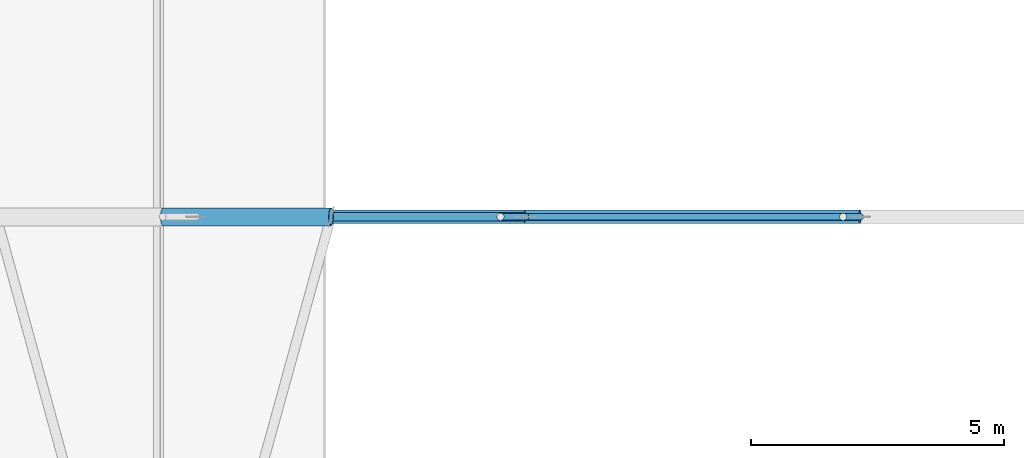
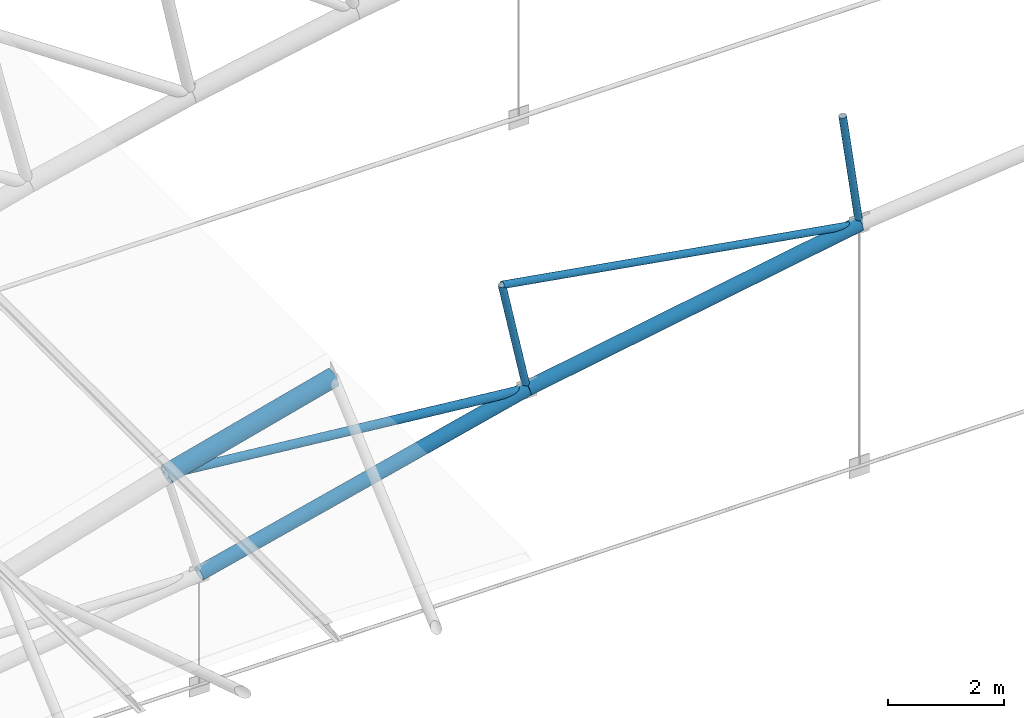
# One storey, part 19 of 321: 7 members.
"""IFC4 building model written with IfcOpenShell, lengths in metres."""

from ifc_helpers import new_model, si_unit, direction, frame, origin, origin_2d, place, context, subcontext, project, spatial, hollow_circle, extrude, material, material_profile, profile_set, type_object, element, save


model = new_model("IFC4")

# Units and contexts
model_context = context("Model", 3, precision=1e-05, world=origin(), true_north=direction((0.0, 1.0)))
body_context = subcontext(model_context, "Body", "Model", "MODEL_VIEW")
ifc_project = project(units=[si_unit("LENGTHUNIT", "METRE"), si_unit("AREAUNIT", "SQUARE_METRE"), si_unit("VOLUMEUNIT", "CUBIC_METRE"), si_unit("PLANEANGLEUNIT", "RADIAN"), si_unit("MASSUNIT", "GRAM", prefix="KILO")], contexts=[model_context])

# Site, building, storey
site_placement = place(None, origin())
site = spatial("IfcSite", under=ifc_project, at=site_placement, CompositionType="ELEMENT")
building_placement = place(site_placement, origin())
building = spatial("IfcBuilding", under=site, at=building_placement, Name="Ravi Spectrum Wholesale Market", CompositionType="ELEMENT")
storey_placement = place(building_placement, frame((0.0, 0.0, 10.800048828125)))
storey = spatial("IfcBuildingStorey", under=building, at=storey_placement, Name="L02", CompositionType="ELEMENT", Elevation=10.800048828125)

# Members
ifc_material_1 = material(Name="Steel S355", Category="steel")
ifc_material_profile_1 = material_profile(ifc_material_1, hollow_circle(Radius=0.06982421875, WallThickness=0.0048828125, at=origin_2d()))
ifc_profile_set_1 = profile_set([ifc_material_profile_1], Name="Steel S355")
member_type_1 = type_object("IfcMemberType", Name="CHS 139.7x5 brace", PredefinedType="BRACE", material=ifc_profile_set_1)
member_1_placement = place(storey_placement, frame((49.55859375, 42.0, 6.30224609375), z_axis=(0.985982518253, 0.0, -0.166848655074), x_axis=(0.0, 1.0, 0.0)))
element("IfcMember", 1, at=member_1_placement, inside=storey, type_object=member_type_1, Name="H1-MB-L02-149", PredefinedType="BRACE", context=body_context, shape_type="SweptSolid", body=[
    extrude(hollow_circle(Radius=0.06982421875, WallThickness=0.0048828125, at=origin_2d()), origin(), (0.0, 0.0, 1.0), 7.1904296875),
])
ifc_material_2 = material(Name="Steel S355", Category="steel")
ifc_material_profile_2 = material_profile(ifc_material_2, hollow_circle(Radius=0.06982421875, WallThickness=0.0048828125, at=origin_2d()))
ifc_profile_set_2 = profile_set([ifc_material_profile_2], Name="Steel S355")
member_type_2 = type_object("IfcMemberType", Name="CHS 139.7x5 post", PredefinedType="POST", material=ifc_profile_set_2)
member_2_placement = place(storey_placement, frame((49.55859375, 42.0, 6.30224609375), z_axis=(0.20547728987, 0.0, -0.978661884078), x_axis=(0.0, 1.0, 0.0)))
element("IfcMember", 2, at=member_2_placement, inside=storey, type_object=member_type_2, Name="H1-MB-L02-138", PredefinedType="POST", context=body_context, shape_type="SweptSolid", body=[
    extrude(hollow_circle(Radius=0.06982421875, WallThickness=0.0048828125, at=origin_2d()), origin(), (0.0, 0.0, 1.0), 2.400146484375),
])
member_3_placement = place(storey_placement, frame((56.318115234375, 42.0, 7.479736328125), z_axis=(0.137532332315, 0.0, -0.990497277921), x_axis=(0.0, 1.0, 0.0)))
element("IfcMember", 3, at=member_3_placement, inside=storey, type_object=member_type_2, Name="H1-MB-L02-139", PredefinedType="POST", context=body_context, shape_type="SweptSolid", body=[
    extrude(hollow_circle(Radius=0.06982421875, WallThickness=0.0048828125, at=origin_2d()), origin(), (0.0, 0.0, 1.0), 2.39990234375),
])
ifc_material_3 = material(Name="Steel S355", Category="steel")
ifc_material_profile_3 = material_profile(ifc_material_3, hollow_circle(Radius=0.084228515625, WallThickness=0.00634765625, at=origin_2d()))
ifc_profile_set_3 = profile_set([ifc_material_profile_3], Name="Steel S355")
member_type_3 = type_object("IfcMemberType", Name="CHS 168.3x6.3 brace", PredefinedType="BRACE", material=ifc_profile_set_3)
member_4_placement = place(storey_placement, frame((42.896240234375, 42.0, 4.661376953125), z_axis=(0.995140525262, 0.0, -0.098464892124), x_axis=(0.0, 1.0, 0.0)))
element("IfcMember", 4, at=member_4_placement, inside=storey, type_object=member_type_3, Name="H1-MB-L02-148", PredefinedType="BRACE", context=body_context, shape_type="SweptSolid", body=[
    extrude(hollow_circle(Radius=0.084228515625, WallThickness=0.00634765625, at=origin_2d()), origin(), (0.0, 0.0, 1.0), 7.1904296875),
])
ifc_material_4 = material(Name="Steel S355", Category="steel")
ifc_material_profile_4 = material_profile(ifc_material_4, hollow_circle(Radius=0.136474609375, WallThickness=0.010009765625, at=origin_2d()))
ifc_profile_set_4 = profile_set([ifc_material_profile_4], Name="Steel S355")
member_type_4 = type_object("IfcMemberType", Name="CHS 273x10 chord", PredefinedType="CHORD", material=ifc_profile_set_4)
for number, where, z_axis, x_axis, name in (
    (5, (43.55029296875, 42.0, 2.35205078125), (0.970981670562, 0.0, 0.23915391578), (0.0, 1.0, 0.0), "H1-MB-L02-126"),
    (6, (50.0517578125, 42.0, 3.953369140625), (0.985162205886, 0.0, 0.171625837489), (0.0, 1.0, 0.0), "H1-MB-L02-127"),
):
    element("IfcMember", number, at=place(storey_placement, frame(where, z_axis=z_axis, x_axis=x_axis)), inside=storey, type_object=member_type_4, Name=name, PredefinedType="CHORD", context=body_context, shape_type="SweptSolid", body=[
        extrude(hollow_circle(Radius=0.136474609375, WallThickness=0.010009765625, at=origin_2d()), origin(), (0.0, 0.0, 1.0), 6.69580078125),
    ])
ifc_material_5 = material(Name="Steel S355", Category="steel")
ifc_material_profile_5 = material_profile(ifc_material_5, hollow_circle(Radius=0.177734375, WallThickness=0.012451171875, at=origin_2d()))
ifc_profile_set_5 = profile_set([ifc_material_profile_5], Name="Steel S355")
member_type_5 = type_object("IfcMemberType", Name="CHS 355.6x12.5 chord", PredefinedType="CHORD", material=ifc_profile_set_5)
member_5_placement = place(storey_placement, frame((42.896240234375, 42.0, 4.661376953125), z_axis=(0.966728003216, 0.0, 0.255806504605), x_axis=(0.0, 1.0, 0.0)))
element("IfcMember", 7, at=member_5_placement, inside=storey, type_object=member_type_5, Name="H1-MB-L02-104", PredefinedType="CHORD", context=body_context, shape_type="SweptSolid", body=[
    extrude(hollow_circle(Radius=0.177734375, WallThickness=0.012451171875, at=origin_2d()), origin(), (0.0, 0.0, 1.0), 3.43115234375),
])

save(model, "model.ifc")
